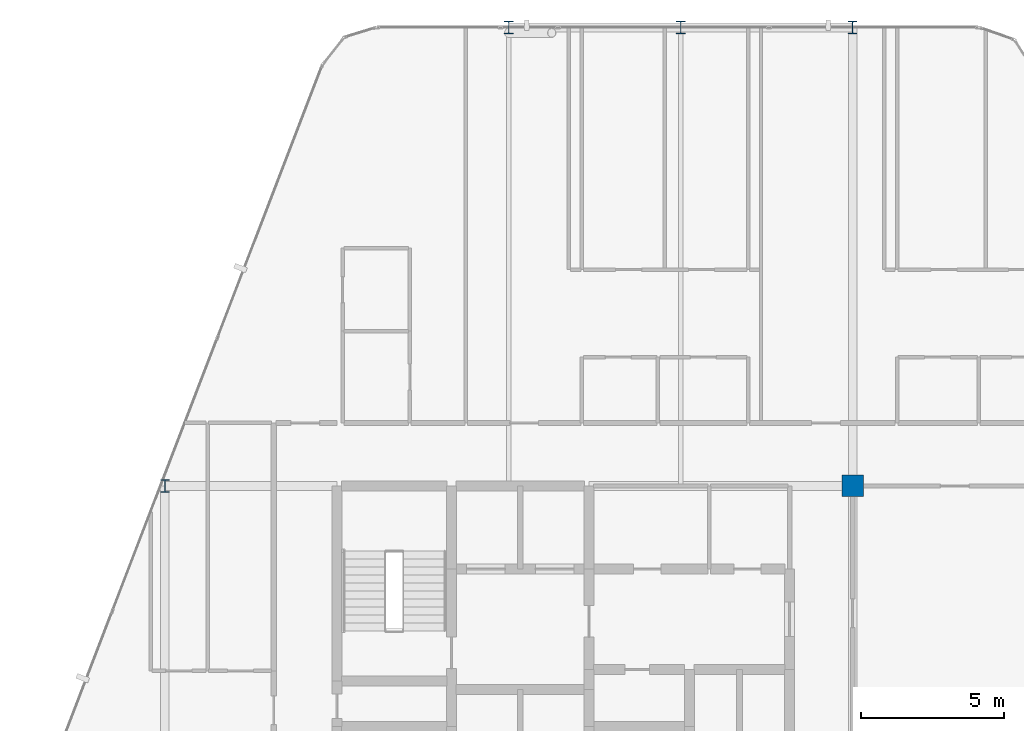
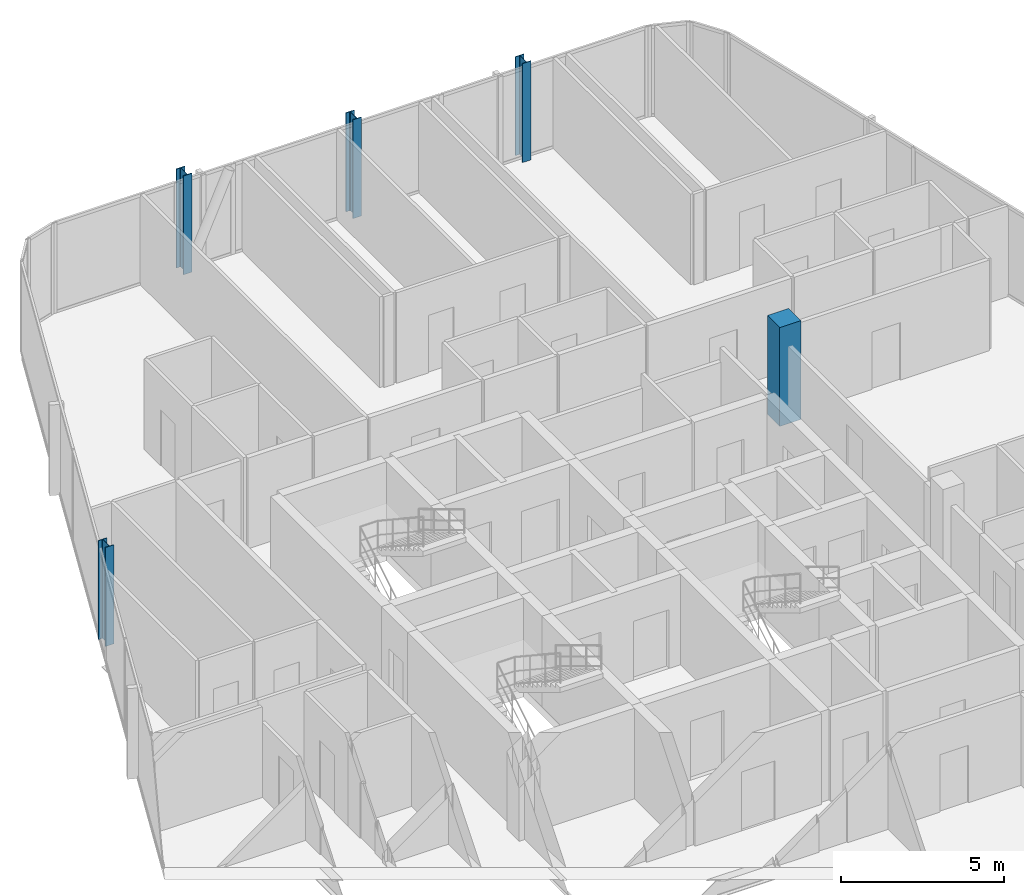
# One storey, part 3 of 29: 5 columns.
"""IFC4 building model written with IfcOpenShell, lengths in metres."""

from ifc_helpers import new_model, si_unit, direction, frame, origin, origin_2d, place, context, subcontext, project, spatial, rectangle, i_section, extrude, material, material_profile, profile_set, type_object, element, save


model = new_model("IFC4")

# Units and contexts
model_context = context("Model", 3, precision=1e-05, world=origin(), true_north=direction((0.0, 1.0)))
body_context = subcontext(model_context, "Body", "Model", "MODEL_VIEW")
ifc_project = project(units=[si_unit("LENGTHUNIT", "METRE"), si_unit("AREAUNIT", "SQUARE_METRE"), si_unit("VOLUMEUNIT", "CUBIC_METRE"), si_unit("PLANEANGLEUNIT", "RADIAN"), si_unit("MASSUNIT", "GRAM", prefix="KILO")], contexts=[model_context])

# Site, building, storey
site_placement = place(None, origin())
site = spatial("IfcSite", under=ifc_project, at=site_placement, CompositionType="ELEMENT")
building_placement = place(site_placement, origin())
building = spatial("IfcBuilding", under=site, at=building_placement, Name="Keshet Zoharim Tower", CompositionType="ELEMENT")
storey_placement = place(building_placement, frame((0.0, 0.0, 210.60009765625)))
storey = spatial("IfcBuildingStorey", under=building, at=storey_placement, Name="L52", CompositionType="ELEMENT", Elevation=210.60009765625)

# Columns
ifc_material_1 = material(Name="Steel S355", Category="steel")
ifc_material_profile_1 = material_profile(ifc_material_1, i_section(OverallWidth=0.300048828125, OverallDepth=0.449951171875, WebThickness=0.013916015625, FlangeThickness=0.02587890625, FilletRadius=0.027099609375, at=origin_2d()), Name="HEB450")
ifc_profile_set_1 = profile_set([ifc_material_profile_1], Name="Steel S355")
column_type_1 = type_object("IfcColumnType", Name="COL-HEB450", PredefinedType="COLUMN", material=ifc_profile_set_1)
for number, where, z_axis, x_axis, name in (
    (1, (9.0, 37.89990234375, 0.0), (0.0, 0.0, 1.0), (1.0, 0.0, 0.0), "L52 Column 2H"),
    (2, (21.0, 53.89990234375, 0.0), (0.0, 0.0, 1.0), (1.0, 0.0, 0.0), "L52 Column 4L"),
    (3, (27.0, 53.89990234375, 0.0), (0.0, 0.0, 1.0), (1.0, 0.0, 0.0), "L52 Column 5L"),
    (4, (33.0, 53.89990234375, 0.0), (0.0, 0.0, 1.0), (1.0, 0.0, 0.0), "L52 Column 6L"),
):
    element("IfcColumn", number, at=place(storey_placement, frame(where, z_axis=z_axis, x_axis=x_axis)), inside=storey, type_object=column_type_1, Name=name, PredefinedType="COLUMN", context=body_context, shape_type="SweptSolid", body=[
        extrude(i_section(OverallWidth=0.300048828125, OverallDepth=0.449951171875, WebThickness=0.013916015625, FlangeThickness=0.02587890625, FilletRadius=0.027099609375, at=origin_2d()), origin(), (0.0, 0.0, 1.0), 3.699951171875),
    ])
ifc_material_2 = material(Name="Concrete C50/60", Category="concrete")
ifc_material_profile_2 = material_profile(ifc_material_2, rectangle(XDim=0.75, YDim=0.75, at=origin_2d()), Name="RC750x750")
ifc_profile_set_2 = profile_set([ifc_material_profile_2], Name="Concrete C50/60")
column_type_2 = type_object("IfcColumnType", Name="COL-RC750", PredefinedType="COLUMN", material=ifc_profile_set_2)
column_placement = place(storey_placement, frame((33.0, 37.89990234375, 0.0), z_axis=(0.0, 0.0, 1.0), x_axis=(1.0, 0.0, 0.0)))
element("IfcColumn", 5, at=column_placement, inside=storey, type_object=column_type_2, Name="L52 Column 6H", PredefinedType="COLUMN", context=body_context, shape_type="SweptSolid", body=[
    extrude(rectangle(XDim=0.75, YDim=0.75, at=origin_2d()), origin(), (0.0, 0.0, 1.0), 3.699951171875),
])

save(model, "model.ifc")
